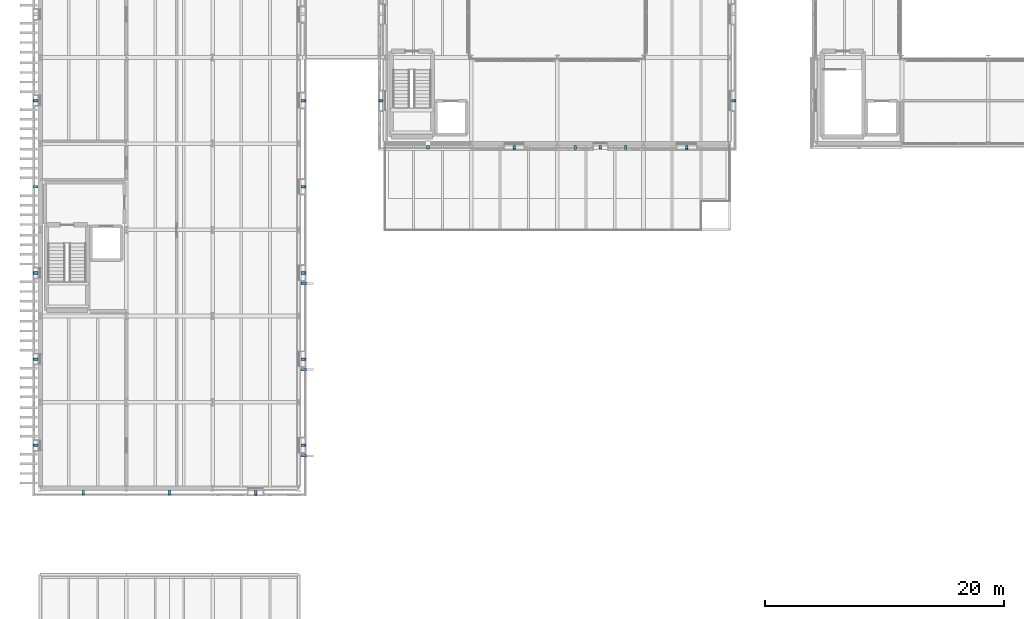
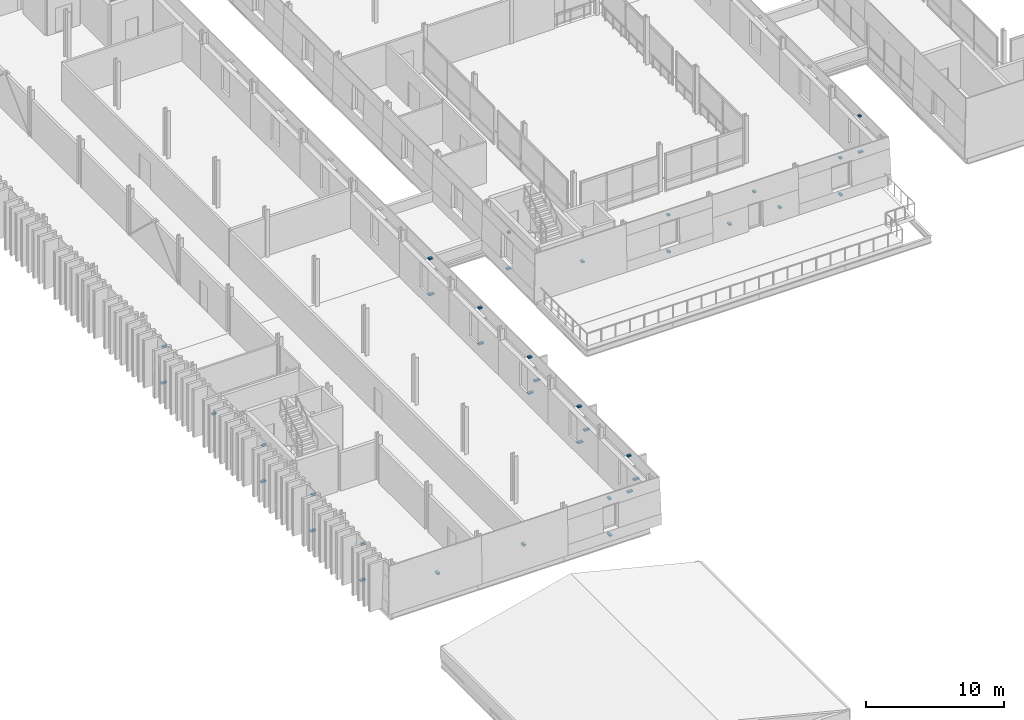
# One storey, part 68 of 91: 38 discrete accessories.
"""IFC4 building model written with IfcOpenShell, lengths in metres."""

from ifc_helpers import new_model, si_unit, direction, frame, origin, origin_2d, place, context, subcontext, project, spatial, rectangle, extrude, material, layer, layer_set, type_object, element, save


model = new_model("IFC4")

# Units and contexts
model_context = context("Model", 3, precision=1e-05, world=origin(), true_north=direction((0.0, 1.0)))
body_context = subcontext(model_context, "Body", "Model", "MODEL_VIEW")
ifc_project = project(units=[si_unit("LENGTHUNIT", "METRE"), si_unit("AREAUNIT", "SQUARE_METRE"), si_unit("VOLUMEUNIT", "CUBIC_METRE"), si_unit("PLANEANGLEUNIT", "RADIAN"), si_unit("MASSUNIT", "GRAM", prefix="KILO")], contexts=[model_context])

# Site, building, storey
site_placement = place(None, origin())
site = spatial("IfcSite", under=ifc_project, at=site_placement, CompositionType="ELEMENT")
building_placement = place(site_placement, origin())
building = spatial("IfcBuilding", under=site, at=building_placement, Name="Narikvali Park Central Library", CompositionType="ELEMENT")
storey_placement = place(building_placement, frame((0.0, 0.0, 14.39990234375)))
storey = spatial("IfcBuildingStorey", under=building, at=storey_placement, Name="L03", CompositionType="ELEMENT", Elevation=14.39990234375)

# Discrete accessories
ifc_material = material(Name="Brushed Stainless Steel S355", Category="steel")
ifc_layer = layer(ifc_material, 0.139892578125, Name="Brushed Stainless Steel S355")
ifc_layer_set = layer_set([ifc_layer], Name="Brushed Stainless Steel S355")
discrete_accessory_type = type_object("IfcDiscreteAccessoryType", Name="Cladding Stainless Tie-Back Corbel Bracket", PredefinedType="BRACKET", material=ifc_layer_set)
discrete_accessory_1_placement = place(storey_placement, frame((32.39990234375, 57.282958984375, 2.0302734375), z_axis=(0.0, 0.0, 1.0), x_axis=(1.0, 0.0, 0.0)))
element("IfcDiscreteAccessory", 1, at=discrete_accessory_1_placement, inside=storey, type_object=discrete_accessory_type, Name="Limestone Cladding Tie-Back Bracket V4-CLD-L03-S-B01-FULL", PredefinedType="BRACKET", context=body_context, shape_type="SweptSolid", body=[
    extrude(rectangle(XDim=0.219970703125, YDim=0.294189453125, at=origin_2d()), origin(), (0.0, 0.0, 1.0), 0.139892578125),
])
discrete_accessory_2_placement = place(storey_placement, frame((39.60009765625, 57.255615234375, 0.4052734375), z_axis=(0.0, 0.0, 1.0), x_axis=(1.0, 0.0, 0.0)))
element("IfcDiscreteAccessory", 2, at=discrete_accessory_2_placement, inside=storey, type_object=discrete_accessory_type, Name="Limestone Cladding Tie-Back Bracket V4-CLD-L03-S-B02-SP", PredefinedType="BRACKET", context=body_context, shape_type="SweptSolid", body=[
    extrude(rectangle(XDim=0.219970703125, YDim=0.348876953125, at=origin_2d()), origin(), (0.0, 0.0, 1.0), 0.139892578125),
])
discrete_accessory_3_placement = place(storey_placement, frame((39.60009765625, 57.309326171875, 3.60498046875), z_axis=(0.0, 0.0, 1.0), x_axis=(1.0, 0.0, 0.0)))
element("IfcDiscreteAccessory", 3, at=discrete_accessory_3_placement, inside=storey, type_object=discrete_accessory_type, Name="Limestone Cladding Tie-Back Bracket V4-CLD-L03-S-B02-LN", PredefinedType="BRACKET", context=body_context, shape_type="SweptSolid", body=[
    extrude(rectangle(XDim=0.219970703125, YDim=0.2412109375, at=origin_2d()), origin(), (0.0, 0.0, 1.0), 0.139892578125),
])
for number, where, z_axis, x_axis, name in (
    (4, (44.695068359375, 57.266357421875, 1.05029296875), (0.0, 0.0, 1.0), (1.0, 0.0, 0.0), "Limestone Cladding Tie-Back Bracket V4-CLD-L03-S-B03-DL"),
    (5, (48.905029296875, 57.266357421875, 1.05029296875), (0.0, 0.0, 1.0), (1.0, 0.0, 0.0), "Limestone Cladding Tie-Back Bracket V4-CLD-L03-S-B03-DR"),
):
    element("IfcDiscreteAccessory", number, at=place(storey_placement, frame(where, z_axis=z_axis, x_axis=x_axis)), inside=storey, type_object=discrete_accessory_type, Name=name, PredefinedType="BRACKET", context=body_context, shape_type="SweptSolid", body=[
        extrude(rectangle(XDim=0.219970703125, YDim=0.3271484375, at=origin_2d()), origin(), (0.0, 0.0, 1.0), 0.139892578125),
    ])
discrete_accessory_4_placement = place(storey_placement, frame((46.800048828125, 57.3017578125, 3.150390625), z_axis=(0.0, 0.0, 1.0), x_axis=(1.0, 0.0, 0.0)))
element("IfcDiscreteAccessory", 6, at=discrete_accessory_4_placement, inside=storey, type_object=discrete_accessory_type, Name="Limestone Cladding Tie-Back Bracket V4-CLD-L03-S-B03-DH", PredefinedType="BRACKET", context=body_context, shape_type="SweptSolid", body=[
    extrude(rectangle(XDim=0.219970703125, YDim=0.256591796875, at=origin_2d()), origin(), (0.0, 0.0, 1.0), 0.139892578125),
])
discrete_accessory_5_placement = place(storey_placement, frame((54.0, 57.255615234375, 0.4052734375), z_axis=(0.0, 0.0, 1.0), x_axis=(1.0, 0.0, 0.0)))
element("IfcDiscreteAccessory", 7, at=discrete_accessory_5_placement, inside=storey, type_object=discrete_accessory_type, Name="Limestone Cladding Tie-Back Bracket V4-CLD-L03-S-B04-SP", PredefinedType="BRACKET", context=body_context, shape_type="SweptSolid", body=[
    extrude(rectangle(XDim=0.219970703125, YDim=0.348876953125, at=origin_2d()), origin(), (0.0, 0.0, 1.0), 0.139892578125),
])
discrete_accessory_6_placement = place(storey_placement, frame((54.0, 57.309326171875, 3.60498046875), z_axis=(0.0, 0.0, 1.0), x_axis=(1.0, 0.0, 0.0)))
element("IfcDiscreteAccessory", 8, at=discrete_accessory_6_placement, inside=storey, type_object=discrete_accessory_type, Name="Limestone Cladding Tie-Back Bracket V4-CLD-L03-S-B04-LN", PredefinedType="BRACKET", context=body_context, shape_type="SweptSolid", body=[
    extrude(rectangle(XDim=0.219970703125, YDim=0.2412109375, at=origin_2d()), origin(), (0.0, 0.0, 1.0), 0.139892578125),
])
discrete_accessory_7_placement = place(storey_placement, frame((57.944580078125, 61.199951171875, 0.4052734375), z_axis=(0.0, 0.0, 1.0), x_axis=(1.0, 0.0, 0.0)))
element("IfcDiscreteAccessory", 9, at=discrete_accessory_7_placement, inside=storey, type_object=discrete_accessory_type, Name="Limestone Cladding Tie-Back Bracket V4-CLD-L03-E-B01-SP", PredefinedType="BRACKET", context=body_context, shape_type="SweptSolid", body=[
    extrude(rectangle(XDim=0.348876953125, YDim=0.219970703125, at=origin_2d()), origin(), (0.0, 0.0, 1.0), 0.139892578125),
])
discrete_accessory_8_placement = place(storey_placement, frame((57.890625, 61.199951171875, 3.60498046875), z_axis=(0.0, 0.0, 1.0), x_axis=(1.0, 0.0, 0.0)))
element("IfcDiscreteAccessory", 10, at=discrete_accessory_8_placement, inside=storey, type_object=discrete_accessory_type, Name="Limestone Cladding Tie-Back Bracket V4-CLD-L03-E-B01-LN", PredefinedType="BRACKET", context=body_context, shape_type="SweptSolid", body=[
    extrude(rectangle(XDim=0.2412109375, YDim=0.219970703125, at=origin_2d()), origin(), (0.0, 0.0, 1.0), 0.139892578125),
])
discrete_accessory_9_placement = place(storey_placement, frame((28.45556640625, 61.199951171875, 0.4052734375), z_axis=(0.0, 0.0, 1.0), x_axis=(1.0, 0.0, 0.0)))
element("IfcDiscreteAccessory", 11, at=discrete_accessory_9_placement, inside=storey, type_object=discrete_accessory_type, Name="Limestone Cladding Tie-Back Bracket V4-CLD-L03-W-B08-SP", PredefinedType="BRACKET", context=body_context, shape_type="SweptSolid", body=[
    extrude(rectangle(XDim=0.348876953125, YDim=0.219970703125, at=origin_2d()), origin(), (0.0, 0.0, 1.0), 0.139892578125),
])
discrete_accessory_10_placement = place(storey_placement, frame((28.509521484375, 61.199951171875, 3.60498046875), z_axis=(0.0, 0.0, 1.0), x_axis=(1.0, 0.0, 0.0)))
element("IfcDiscreteAccessory", 12, at=discrete_accessory_10_placement, inside=storey, type_object=discrete_accessory_type, Name="Limestone Cladding Tie-Back Bracket V4-CLD-L03-W-B08-LN", PredefinedType="BRACKET", context=body_context, shape_type="SweptSolid", body=[
    extrude(rectangle(XDim=0.2412109375, YDim=0.219970703125, at=origin_2d()), origin(), (0.0, 0.0, 1.0), 0.139892578125),
])
for number, where, z_axis, x_axis, name in (
    (13, (3.60009765625, 28.439208984375, 2.0302734375), (0.0, 0.0, 1.0), (1.0, 0.0, 0.0), "Limestone Cladding Tie-Back Bracket V5-CLD-L03-S-B01-FULL"),
    (14, (10.800048828125, 28.439208984375, 2.0302734375), (0.0, 0.0, 1.0), (1.0, 0.0, 0.0), "Limestone Cladding Tie-Back Bracket V5-CLD-L03-S-B02-FULL"),
):
    element("IfcDiscreteAccessory", number, at=place(storey_placement, frame(where, z_axis=z_axis, x_axis=x_axis)), inside=storey, type_object=discrete_accessory_type, Name=name, PredefinedType="BRACKET", context=body_context, shape_type="SweptSolid", body=[
        extrude(rectangle(XDim=0.219970703125, YDim=0.3818359375, at=origin_2d()), origin(), (0.0, 0.0, 1.0), 0.139892578125),
    ])
discrete_accessory_11_placement = place(storey_placement, frame((18.0, 28.416015625, 0.4052734375), z_axis=(0.0, 0.0, 1.0), x_axis=(1.0, 0.0, 0.0)))
element("IfcDiscreteAccessory", 15, at=discrete_accessory_11_placement, inside=storey, type_object=discrete_accessory_type, Name="Limestone Cladding Tie-Back Bracket V5-CLD-L03-S-B03-SP", PredefinedType="BRACKET", context=body_context, shape_type="SweptSolid", body=[
    extrude(rectangle(XDim=0.219970703125, YDim=0.427978515625, at=origin_2d()), origin(), (0.0, 0.0, 1.0), 0.139892578125),
])
discrete_accessory_12_placement = place(storey_placement, frame((18.0, 28.461181640625, 3.580078125), z_axis=(0.0, 0.0, 1.0), x_axis=(1.0, 0.0, 0.0)))
element("IfcDiscreteAccessory", 16, at=discrete_accessory_12_placement, inside=storey, type_object=discrete_accessory_type, Name="Limestone Cladding Tie-Back Bracket V5-CLD-L03-S-B03-LN", PredefinedType="BRACKET", context=body_context, shape_type="SweptSolid", body=[
    extrude(rectangle(XDim=0.219970703125, YDim=0.337890625, at=origin_2d()), origin(), (0.0, 0.0, 1.0), 0.139892578125),
])
discrete_accessory_13_placement = place(storey_placement, frame((21.98388671875, 32.39990234375, 0.4052734375), z_axis=(0.0, 0.0, 1.0), x_axis=(1.0, 0.0, 0.0)))
element("IfcDiscreteAccessory", 17, at=discrete_accessory_13_placement, inside=storey, type_object=discrete_accessory_type, Name="Limestone Cladding Tie-Back Bracket V5-CLD-L03-E-B01-SP", PredefinedType="BRACKET", context=body_context, shape_type="SweptSolid", body=[
    extrude(rectangle(XDim=0.427978515625, YDim=0.219970703125, at=origin_2d()), origin(), (0.0, 0.0, 1.0), 0.139892578125),
])
discrete_accessory_14_placement = place(storey_placement, frame((21.93896484375, 32.39990234375, 3.580078125), z_axis=(0.0, 0.0, 1.0), x_axis=(1.0, 0.0, 0.0)))
element("IfcDiscreteAccessory", 18, at=discrete_accessory_14_placement, inside=storey, type_object=discrete_accessory_type, Name="Limestone Cladding Tie-Back Bracket V5-CLD-L03-E-B01-LN", PredefinedType="BRACKET", context=body_context, shape_type="SweptSolid", body=[
    extrude(rectangle(XDim=0.337890625, YDim=0.219970703125, at=origin_2d()), origin(), (0.0, 0.0, 1.0), 0.139892578125),
])
discrete_accessory_15_placement = place(storey_placement, frame((21.98388671875, 39.60009765625, 0.4052734375), z_axis=(0.0, 0.0, 1.0), x_axis=(1.0, 0.0, 0.0)))
element("IfcDiscreteAccessory", 19, at=discrete_accessory_15_placement, inside=storey, type_object=discrete_accessory_type, Name="Limestone Cladding Tie-Back Bracket V5-CLD-L03-E-B02-SP", PredefinedType="BRACKET", context=body_context, shape_type="SweptSolid", body=[
    extrude(rectangle(XDim=0.427978515625, YDim=0.219970703125, at=origin_2d()), origin(), (0.0, 0.0, 1.0), 0.139892578125),
])
discrete_accessory_16_placement = place(storey_placement, frame((21.93896484375, 39.60009765625, 3.580078125), z_axis=(0.0, 0.0, 1.0), x_axis=(1.0, 0.0, 0.0)))
element("IfcDiscreteAccessory", 20, at=discrete_accessory_16_placement, inside=storey, type_object=discrete_accessory_type, Name="Limestone Cladding Tie-Back Bracket V5-CLD-L03-E-B02-LN", PredefinedType="BRACKET", context=body_context, shape_type="SweptSolid", body=[
    extrude(rectangle(XDim=0.337890625, YDim=0.219970703125, at=origin_2d()), origin(), (0.0, 0.0, 1.0), 0.139892578125),
])
discrete_accessory_17_placement = place(storey_placement, frame((21.98388671875, 46.800048828125, 0.4052734375), z_axis=(0.0, 0.0, 1.0), x_axis=(1.0, 0.0, 0.0)))
element("IfcDiscreteAccessory", 21, at=discrete_accessory_17_placement, inside=storey, type_object=discrete_accessory_type, Name="Limestone Cladding Tie-Back Bracket V5-CLD-L03-E-B03-SP", PredefinedType="BRACKET", context=body_context, shape_type="SweptSolid", body=[
    extrude(rectangle(XDim=0.427978515625, YDim=0.219970703125, at=origin_2d()), origin(), (0.0, 0.0, 1.0), 0.139892578125),
])
discrete_accessory_18_placement = place(storey_placement, frame((21.93896484375, 46.800048828125, 3.580078125), z_axis=(0.0, 0.0, 1.0), x_axis=(1.0, 0.0, 0.0)))
element("IfcDiscreteAccessory", 22, at=discrete_accessory_18_placement, inside=storey, type_object=discrete_accessory_type, Name="Limestone Cladding Tie-Back Bracket V5-CLD-L03-E-B03-LN", PredefinedType="BRACKET", context=body_context, shape_type="SweptSolid", body=[
    extrude(rectangle(XDim=0.337890625, YDim=0.219970703125, at=origin_2d()), origin(), (0.0, 0.0, 1.0), 0.139892578125),
])
discrete_accessory_19_placement = place(storey_placement, frame((21.98388671875, 54.0, 0.4052734375), z_axis=(0.0, 0.0, 1.0), x_axis=(1.0, 0.0, 0.0)))
element("IfcDiscreteAccessory", 23, at=discrete_accessory_19_placement, inside=storey, type_object=discrete_accessory_type, Name="Limestone Cladding Tie-Back Bracket V5-CLD-L03-E-B04-SP", PredefinedType="BRACKET", context=body_context, shape_type="SweptSolid", body=[
    extrude(rectangle(XDim=0.427978515625, YDim=0.219970703125, at=origin_2d()), origin(), (0.0, 0.0, 1.0), 0.139892578125),
])
discrete_accessory_20_placement = place(storey_placement, frame((21.93896484375, 54.0, 3.580078125), z_axis=(0.0, 0.0, 1.0), x_axis=(1.0, 0.0, 0.0)))
element("IfcDiscreteAccessory", 24, at=discrete_accessory_20_placement, inside=storey, type_object=discrete_accessory_type, Name="Limestone Cladding Tie-Back Bracket V5-CLD-L03-E-B04-LN", PredefinedType="BRACKET", context=body_context, shape_type="SweptSolid", body=[
    extrude(rectangle(XDim=0.337890625, YDim=0.219970703125, at=origin_2d()), origin(), (0.0, 0.0, 1.0), 0.139892578125),
])
discrete_accessory_21_placement = place(storey_placement, frame((21.98388671875, 61.199951171875, 0.4052734375), z_axis=(0.0, 0.0, 1.0), x_axis=(1.0, 0.0, 0.0)))
element("IfcDiscreteAccessory", 25, at=discrete_accessory_21_placement, inside=storey, type_object=discrete_accessory_type, Name="Limestone Cladding Tie-Back Bracket V5-CLD-L03-E-B05-SP", PredefinedType="BRACKET", context=body_context, shape_type="SweptSolid", body=[
    extrude(rectangle(XDim=0.427978515625, YDim=0.219970703125, at=origin_2d()), origin(), (0.0, 0.0, 1.0), 0.139892578125),
])
discrete_accessory_22_placement = place(storey_placement, frame((21.93896484375, 61.199951171875, 3.580078125), z_axis=(0.0, 0.0, 1.0), x_axis=(1.0, 0.0, 0.0)))
element("IfcDiscreteAccessory", 26, at=discrete_accessory_22_placement, inside=storey, type_object=discrete_accessory_type, Name="Limestone Cladding Tie-Back Bracket V5-CLD-L03-E-B05-LN", PredefinedType="BRACKET", context=body_context, shape_type="SweptSolid", body=[
    extrude(rectangle(XDim=0.337890625, YDim=0.219970703125, at=origin_2d()), origin(), (0.0, 0.0, 1.0), 0.139892578125),
])
discrete_accessory_23_placement = place(storey_placement, frame((-0.384033203125, 61.199951171875, 0.4052734375), z_axis=(0.0, 0.0, 1.0), x_axis=(1.0, 0.0, 0.0)))
element("IfcDiscreteAccessory", 27, at=discrete_accessory_23_placement, inside=storey, type_object=discrete_accessory_type, Name="Limestone Cladding Tie-Back Bracket V5-CLD-L03-W-B07-SP", PredefinedType="BRACKET", context=body_context, shape_type="SweptSolid", body=[
    extrude(rectangle(XDim=0.427978515625, YDim=0.219970703125, at=origin_2d()), origin(), (0.0, 0.0, 1.0), 0.139892578125),
])
discrete_accessory_24_placement = place(storey_placement, frame((-0.339111328125, 61.199951171875, 3.580078125), z_axis=(0.0, 0.0, 1.0), x_axis=(1.0, 0.0, 0.0)))
element("IfcDiscreteAccessory", 28, at=discrete_accessory_24_placement, inside=storey, type_object=discrete_accessory_type, Name="Limestone Cladding Tie-Back Bracket V5-CLD-L03-W-B07-LN", PredefinedType="BRACKET", context=body_context, shape_type="SweptSolid", body=[
    extrude(rectangle(XDim=0.337890625, YDim=0.219970703125, at=origin_2d()), origin(), (0.0, 0.0, 1.0), 0.139892578125),
])
discrete_accessory_25_placement = place(storey_placement, frame((-0.36083984375, 54.0, 2.0302734375), z_axis=(0.0, 0.0, 1.0), x_axis=(1.0, 0.0, 0.0)))
element("IfcDiscreteAccessory", 29, at=discrete_accessory_25_placement, inside=storey, type_object=discrete_accessory_type, Name="Limestone Cladding Tie-Back Bracket V5-CLD-L03-W-B08-FULL", PredefinedType="BRACKET", context=body_context, shape_type="SweptSolid", body=[
    extrude(rectangle(XDim=0.3818359375, YDim=0.219970703125, at=origin_2d()), origin(), (0.0, 0.0, 1.0), 0.139892578125),
])
discrete_accessory_26_placement = place(storey_placement, frame((-0.384033203125, 46.800048828125, 0.4052734375), z_axis=(0.0, 0.0, 1.0), x_axis=(1.0, 0.0, 0.0)))
element("IfcDiscreteAccessory", 30, at=discrete_accessory_26_placement, inside=storey, type_object=discrete_accessory_type, Name="Limestone Cladding Tie-Back Bracket V5-CLD-L03-W-B09-SP", PredefinedType="BRACKET", context=body_context, shape_type="SweptSolid", body=[
    extrude(rectangle(XDim=0.427978515625, YDim=0.219970703125, at=origin_2d()), origin(), (0.0, 0.0, 1.0), 0.139892578125),
])
discrete_accessory_27_placement = place(storey_placement, frame((-0.339111328125, 46.800048828125, 3.580078125), z_axis=(0.0, 0.0, 1.0), x_axis=(1.0, 0.0, 0.0)))
element("IfcDiscreteAccessory", 31, at=discrete_accessory_27_placement, inside=storey, type_object=discrete_accessory_type, Name="Limestone Cladding Tie-Back Bracket V5-CLD-L03-W-B09-LN", PredefinedType="BRACKET", context=body_context, shape_type="SweptSolid", body=[
    extrude(rectangle(XDim=0.337890625, YDim=0.219970703125, at=origin_2d()), origin(), (0.0, 0.0, 1.0), 0.139892578125),
])
discrete_accessory_28_placement = place(storey_placement, frame((-0.384033203125, 39.60009765625, 0.4052734375), z_axis=(0.0, 0.0, 1.0), x_axis=(1.0, 0.0, 0.0)))
element("IfcDiscreteAccessory", 32, at=discrete_accessory_28_placement, inside=storey, type_object=discrete_accessory_type, Name="Limestone Cladding Tie-Back Bracket V5-CLD-L03-W-B10-SP", PredefinedType="BRACKET", context=body_context, shape_type="SweptSolid", body=[
    extrude(rectangle(XDim=0.427978515625, YDim=0.219970703125, at=origin_2d()), origin(), (0.0, 0.0, 1.0), 0.139892578125),
])
discrete_accessory_29_placement = place(storey_placement, frame((-0.339111328125, 39.60009765625, 3.580078125), z_axis=(0.0, 0.0, 1.0), x_axis=(1.0, 0.0, 0.0)))
element("IfcDiscreteAccessory", 33, at=discrete_accessory_29_placement, inside=storey, type_object=discrete_accessory_type, Name="Limestone Cladding Tie-Back Bracket V5-CLD-L03-W-B10-LN", PredefinedType="BRACKET", context=body_context, shape_type="SweptSolid", body=[
    extrude(rectangle(XDim=0.337890625, YDim=0.219970703125, at=origin_2d()), origin(), (0.0, 0.0, 1.0), 0.139892578125),
])
discrete_accessory_30_placement = place(storey_placement, frame((-0.384033203125, 32.39990234375, 0.4052734375), z_axis=(0.0, 0.0, 1.0), x_axis=(1.0, 0.0, 0.0)))
element("IfcDiscreteAccessory", 34, at=discrete_accessory_30_placement, inside=storey, type_object=discrete_accessory_type, Name="Limestone Cladding Tie-Back Bracket V5-CLD-L03-W-B11-SP", PredefinedType="BRACKET", context=body_context, shape_type="SweptSolid", body=[
    extrude(rectangle(XDim=0.427978515625, YDim=0.219970703125, at=origin_2d()), origin(), (0.0, 0.0, 1.0), 0.139892578125),
])
discrete_accessory_31_placement = place(storey_placement, frame((-0.339111328125, 32.39990234375, 3.580078125), z_axis=(0.0, 0.0, 1.0), x_axis=(1.0, 0.0, 0.0)))
element("IfcDiscreteAccessory", 35, at=discrete_accessory_31_placement, inside=storey, type_object=discrete_accessory_type, Name="Limestone Cladding Tie-Back Bracket V5-CLD-L03-W-B11-LN", PredefinedType="BRACKET", context=body_context, shape_type="SweptSolid", body=[
    extrude(rectangle(XDim=0.337890625, YDim=0.219970703125, at=origin_2d()), origin(), (0.0, 0.0, 1.0), 0.139892578125),
])
for number, where, z_axis, x_axis, name in (
    (36, (22.01171875, 31.52001953125, 2.0302734375), (0.0, 0.0, 1.0), (1.0, 0.0, 0.0), "Sun Louver Tie-Back Fixing Bracket 004"),
    (37, (22.01171875, 38.719970703125, 2.0302734375), (0.0, 0.0, 1.0), (1.0, 0.0, 0.0), "Sun Louver Tie-Back Fixing Bracket 008"),
    (38, (22.01171875, 45.919921875, 2.0302734375), (0.0, 0.0, 1.0), (1.0, 0.0, 0.0), "Sun Louver Tie-Back Fixing Bracket 012"),
):
    element("IfcDiscreteAccessory", number, at=place(storey_placement, frame(where, z_axis=z_axis, x_axis=x_axis)), inside=storey, type_object=discrete_accessory_type, Name=name, PredefinedType="BRACKET", context=body_context, shape_type="SweptSolid", body=[
        extrude(rectangle(XDim=0.46337890625, YDim=0.219970703125, at=origin_2d()), origin(), (0.0, 0.0, 1.0), 0.139892578125),
    ])

save(model, "model.ifc")
